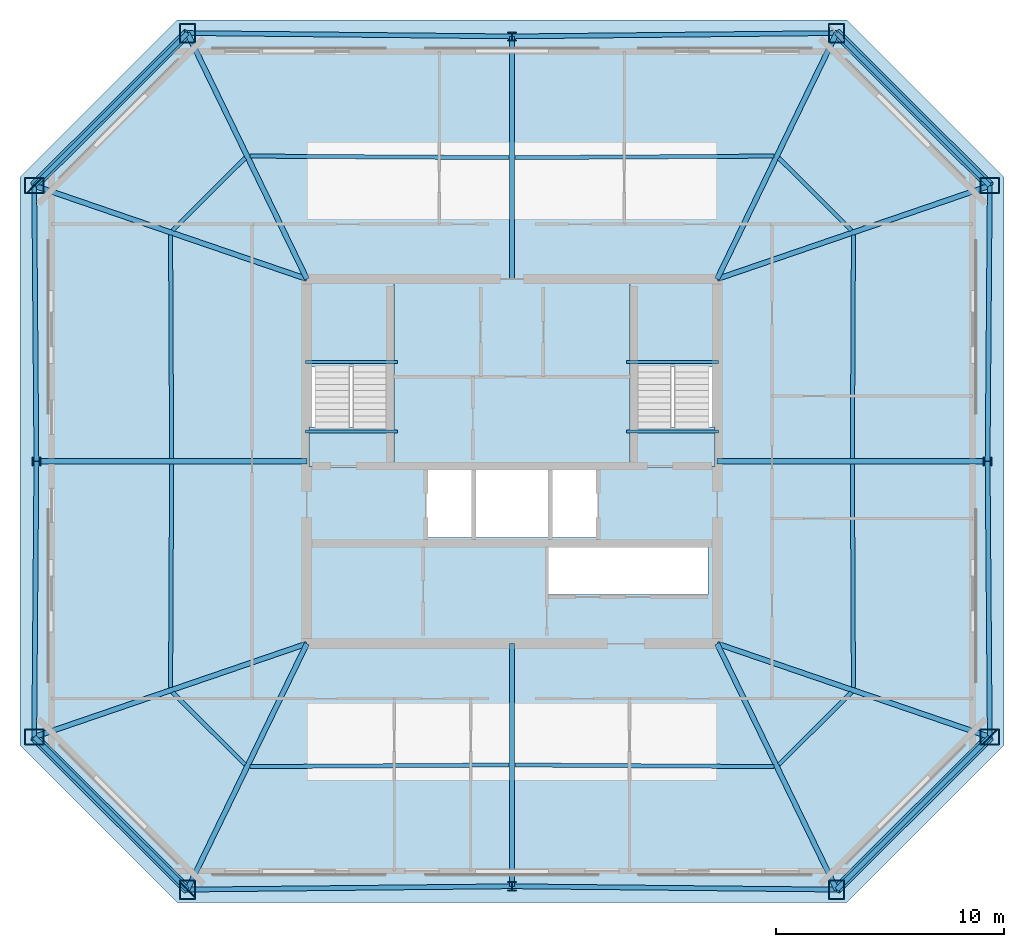
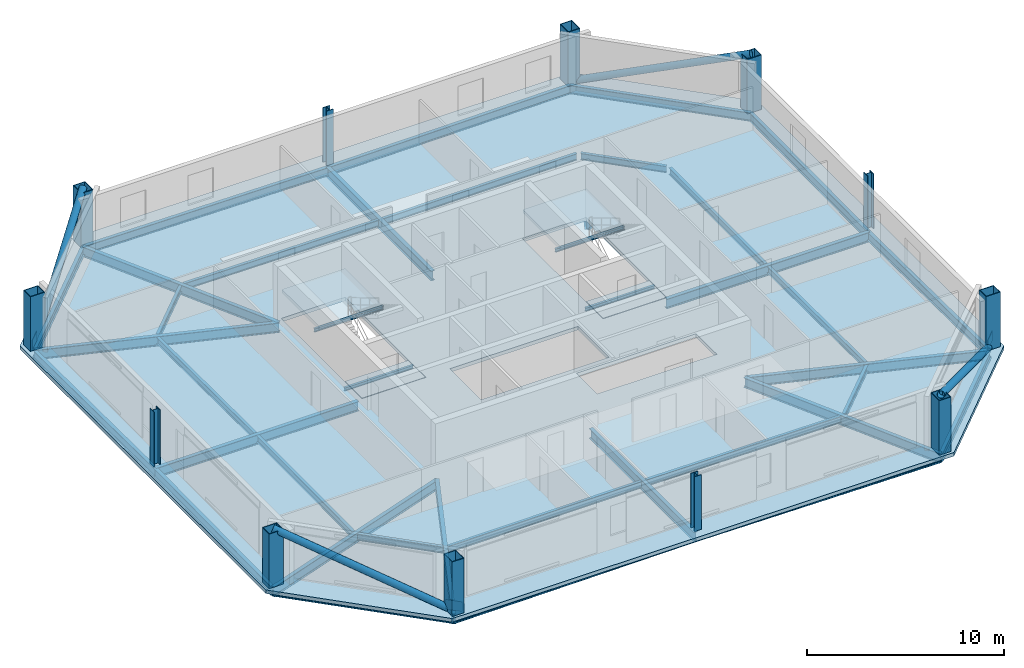
# One storey, part 1 of 6: 40 beams, 12 columns, 5 slabs, 4 members, 3 plates, 2 elements without a shape of their own.
"""IFC4 building model written with IfcOpenShell, lengths in metres."""

import ifcopenshell
import ifcopenshell.guid

model = None  # the IFC model being written
_history = None  # IfcOwnerHistory: only IFC2X3 demands one
_inside = {}  # id of a spatial element -> (the spatial element, [elements in it])
_under = {}  # id of a project, library or spatial element -> (it, [spatial elements below it])
_declared = {}  # id of a project -> (the project, [libraries it declares])
_typed = {}  # id of a type object -> (the type object, [elements of that type])
_made_of = {}  # id of a material, layer set ... -> (it, [elements and type objects made of it])


def new_model(schema):
    """Start an empty IFC model of exactly this schema.

    Asked for "IFC4X3", IfcOpenShell would pick the latest addendum, in which some entities
    have other attributes; the version numbers below select the first issue.
    IFC2X3 requires an IfcOwnerHistory on every rooted entity: one is made here for all.
    """
    global model, _history
    if schema == "IFC4X3":
        model = ifcopenshell.file(schema_version=(4, 3, 0, 0))
    else:
        model = ifcopenshell.file(schema=schema)
    _inside.clear()
    _under.clear()
    _declared.clear()
    _typed.clear()
    _made_of.clear()
    _history = None
    if model.schema == "IFC2X3":
        org = make("IfcOrganization", Name="unknown")
        user = make(
            "IfcPersonAndOrganization",
            ThePerson=make("IfcPerson", FamilyName="unknown"),
            TheOrganization=org,
        )
        app = make(
            "IfcApplication",
            ApplicationDeveloper=org,
            Version="unknown",
            ApplicationFullName="unknown",
            ApplicationIdentifier="unknown",
        )
        _history = make(
            "IfcOwnerHistory",
            OwningUser=user,
            OwningApplication=app,
            ChangeAction="ADDED",
            CreationDate=0,
        )
    return model


def make(cls, **values):
    """One entity of the class cls with the attributes given. An attribute that is None is left unset."""
    return model.create_entity(
        cls, **{name: value for name, value in values.items() if value is not None}
    )


def rooted(cls, **values):
    """An entity with a GlobalId (a new one), such as an element, a storey or a relation."""
    return make(cls, GlobalId=ifcopenshell.guid.new(), OwnerHistory=_history, **values)


def si_unit(unit_type, name, prefix=None):
    """IfcSIUnit, for example si_unit("LENGTHUNIT", "METRE", prefix="MILLI")."""
    return make("IfcSIUnit", UnitType=unit_type, Prefix=prefix, Name=name)


def assignment(units):
    """IfcUnitAssignment: the units of a project."""
    return None if units is None else make("IfcUnitAssignment", Units=units)


def point(xyz):
    """IfcCartesianPoint."""
    return None if xyz is None else make("IfcCartesianPoint", Coordinates=xyz)


def direction(xyz):
    """IfcDirection."""
    return None if xyz is None else make("IfcDirection", DirectionRatios=xyz)


def frame(location, z_axis=None, x_axis=None):
    """IfcAxis2Placement3D, a coordinate frame: its origin and axes. An axis left out is left unset."""
    return make(
        "IfcAxis2Placement3D",
        Location=point(location),
        Axis=direction(z_axis),
        RefDirection=direction(x_axis),
    )


def frame_2d(location, x_axis=None):
    """IfcAxis2Placement2D, a coordinate frame in the plane: its origin and x axis."""
    return make(
        "IfcAxis2Placement2D", Location=point(location), RefDirection=direction(x_axis)
    )


def origin():
    """The frame at (0, 0, 0) with its axes left unset."""
    return frame((0.0, 0.0, 0.0))


def origin_2d():
    """The frame at (0, 0) in the plane with its x axis left unset."""
    return frame_2d((0.0, 0.0))


def place(relative_to, where):
    """IfcLocalPlacement: puts the frame where relative to a parent placement (None: the world)."""
    return make(
        "IfcLocalPlacement", PlacementRelTo=relative_to, RelativePlacement=where
    )


def context(
    kind, dimensions, precision=None, world=None, true_north=None, identifier=None
):
    """IfcGeometricRepresentationContext, for example the 3D "Model" context."""
    return make(
        "IfcGeometricRepresentationContext",
        ContextIdentifier=identifier,
        ContextType=kind,
        CoordinateSpaceDimension=dimensions,
        Precision=precision,
        WorldCoordinateSystem=world,
        TrueNorth=true_north,
    )


def subcontext(parent, identifier, kind, view, scale=None):
    """IfcGeometricRepresentationSubContext, for example "Body" below "Model"."""
    return make(
        "IfcGeometricRepresentationSubContext",
        ContextIdentifier=identifier,
        ContextType=kind,
        ParentContext=parent,
        TargetScale=scale,
        TargetView=view,
    )


def project(units=None, contexts=None):
    """IfcProject with its units and contexts."""
    return rooted(
        "IfcProject",
        Name="project",
        RepresentationContexts=contexts,
        UnitsInContext=assignment(units),
    )


def spatial(cls, under=None, at=None, **own):
    """A site, building, storey or space (cls), placed at a placement, below another one or the project."""
    s = rooted(cls, ObjectPlacement=at, **own)
    if under is not None:
        _under.setdefault(under.id(), (under, []))[1].append(s)
    return s


def polyline(points):
    """IfcPolyline through the points."""
    return make("IfcPolyline", Points=[point(p) for p in points])


def profile(cls, at=None, kind="AREA", **sizes):
    """A parametric profile (cls). Its sizes go by their IFC names, for example OverallWidth=200.0."""
    return make(cls, ProfileType=kind, Position=at, **sizes)


def rectangle(**sizes):
    """IfcRectangleProfileDef."""
    return profile("IfcRectangleProfileDef", **sizes)


def hollow_rectangle(**sizes):
    """IfcRectangleHollowProfileDef."""
    return profile("IfcRectangleHollowProfileDef", **sizes)


def hollow_circle(**sizes):
    """IfcCircleHollowProfileDef."""
    return profile("IfcCircleHollowProfileDef", **sizes)


def i_section(**sizes):
    """IfcIShapeProfileDef."""
    return profile("IfcIShapeProfileDef", **sizes)


def outline(outer, holes=None, kind="AREA"):
    """IfcArbitraryClosedProfileDef: a profile drawn as a closed curve; with holes, ...WithVoids."""
    if holes is None:
        return make("IfcArbitraryClosedProfileDef", ProfileType=kind, OuterCurve=outer)
    return make(
        "IfcArbitraryProfileDefWithVoids",
        ProfileType=kind,
        OuterCurve=outer,
        InnerCurves=holes,
    )


def extrude(swept, where, along, depth):
    """IfcExtrudedAreaSolid: the profile swept, set in the frame where, extruded along a direction by depth."""
    return make(
        "IfcExtrudedAreaSolid",
        SweptArea=swept,
        Position=where,
        ExtrudedDirection=direction(along),
        Depth=depth,
    )


def shape(context_of_items, identifier, shape_type, items):
    """IfcShapeRepresentation: the items that make up one representation, for example the "Body"."""
    return make(
        "IfcShapeRepresentation",
        ContextOfItems=context_of_items,
        RepresentationIdentifier=identifier,
        RepresentationType=shape_type,
        Items=items,
    )


def material(Name=None, Category=None):
    """IfcMaterial."""
    return make("IfcMaterial", Name=Name, Category=Category)


def layer(
    of_material, thickness, ventilated=None, Name=None, Category=None, Priority=None
):
    """IfcMaterialLayer: one layer of a wall or slab, of a material (None: an air gap)."""
    return make(
        "IfcMaterialLayer",
        Material=of_material,
        LayerThickness=thickness,
        IsVentilated=ventilated,
        Name=Name,
        Category=Category,
        Priority=Priority,
    )


def layer_set(layers, Name=None):
    """IfcMaterialLayerSet."""
    return make("IfcMaterialLayerSet", MaterialLayers=layers, LayerSetName=Name)


def material_profile(
    of_material, cross_section, Name=None, Category=None, Priority=None
):
    """IfcMaterialProfile: a cross section and its material."""
    return make(
        "IfcMaterialProfile",
        Name=Name,
        Material=of_material,
        Profile=cross_section,
        Priority=Priority,
        Category=Category,
    )


def profile_set(profiles, Name=None, composite=None):
    """IfcMaterialProfileSet."""
    return make(
        "IfcMaterialProfileSet",
        Name=Name,
        MaterialProfiles=profiles,
        CompositeProfile=composite,
    )


def made_of(thing, what):
    """Note that an element or type object is made of a material, layer set ...; save() writes the relation."""
    if what is not None:
        _made_of.setdefault(what.id(), (what, []))[1].append(thing)
    return thing


def type_object(cls, material=None, **own):
    """A type object (cls), such as IfcWallType, which elements share."""
    return made_of(rooted(cls, **own), material)


def element(
    cls,
    number,
    at=None,
    inside=None,
    cuts=None,
    type_object=None,
    material=None,
    context=None,
    identifier="Body",
    shape_type=None,
    held_by="IfcProductDefinitionShape",
    body=None,
    shapes=None,
    **own,
):
    """One element of the class cls, such as IfcWall. Its Tag is "e" and its number.

    at: its placement. inside: the storey or other place that contains it. cuts: it is an
    opening in that element (IfcRelVoidsElement). A single representation is given by context,
    identifier, shape_type and body (its items); several are given by shapes. held_by: the class
    of the entity that holds the representations. save() writes the other relations.
    """
    e = rooted(cls, Tag="e%d" % number, ObjectPlacement=at, **own)
    if body is not None:
        shapes = [shape(context, identifier, shape_type, body)]
    if shapes is not None:
        e.Representation = make(held_by, Representations=shapes)
    if inside is not None:
        _inside.setdefault(inside.id(), (inside, []))[1].append(e)
    if cuts is not None:
        rooted(
            "IfcRelVoidsElement", RelatingBuildingElement=cuts, RelatedOpeningElement=e
        )
    if type_object is not None:
        _typed.setdefault(type_object.id(), (type_object, []))[1].append(e)
    return made_of(e, material)


def aggregate(whole, parts):
    """IfcRelAggregates: a whole, such as a stair, and the parts it consists of."""
    return rooted("IfcRelAggregates", RelatingObject=whole, RelatedObjects=parts)


def save(model, path):
    """Write the relations noted so far, then the file.

    IfcRelAggregates (storeys below a building ...), IfcRelContainedInSpatialStructure (elements
    in a storey), IfcRelDefinesByType, IfcRelAssociatesMaterial and IfcRelDeclares: one each for
    every whole, place, type object, material and project.
    """
    for whole, parts in _under.values():
        aggregate(whole, parts)
    for where, things in _inside.values():
        rooted(
            "IfcRelContainedInSpatialStructure",
            RelatedElements=things,
            RelatingStructure=where,
        )
    for kind, things in _typed.values():
        rooted("IfcRelDefinesByType", RelatedObjects=things, RelatingType=kind)
    for what, things in _made_of.values():
        rooted("IfcRelAssociatesMaterial", RelatedObjects=things, RelatingMaterial=what)
    for by, libraries in _declared.values():
        rooted("IfcRelDeclares", RelatingContext=by, RelatedDefinitions=libraries)
    model.write(path)


model = new_model("IFC4")

# Units and contexts
model_context = context("Model", 3, precision=1e-05, world=origin(), true_north=direction((0.0, 1.0)))
body_context = subcontext(model_context, "Body", "Model", "MODEL_VIEW")
ifc_project = project(units=[si_unit("LENGTHUNIT", "METRE"), si_unit("AREAUNIT", "SQUARE_METRE"), si_unit("VOLUMEUNIT", "CUBIC_METRE"), si_unit("PLANEANGLEUNIT", "RADIAN"), si_unit("MASSUNIT", "GRAM", prefix="KILO")], contexts=[model_context])

# Site, building, storey
site_placement = place(None, origin())
site = spatial("IfcSite", under=ifc_project, at=site_placement, CompositionType="ELEMENT")
building_placement = place(site_placement, origin())
building = spatial("IfcBuilding", under=site, at=building_placement, Name="Caelvoria Tower", CompositionType="ELEMENT")
storey_placement = place(building_placement, frame((0.0, 0.0, 209.39990234375)))
storey = spatial("IfcBuildingStorey", under=building, at=storey_placement, Name="L55", CompositionType="ELEMENT", Elevation=209.39990234375)

# Columns
ifc_material_1 = material(Name="Structural Steel ASTM A572 Gr.50", Category="steel")
ifc_material_profile_1 = material_profile(ifc_material_1, hollow_rectangle(XDim=0.699951171875, YDim=0.85009765625, WallThickness=0.0400390625, at=origin_2d()), Name="Structural Steel ASTM A572 Gr.50")
ifc_profile_set_1 = profile_set([ifc_material_profile_1], Name="BOX850X700X40 - Structural Steel ASTM A572 Gr.50")
column_type_1 = type_object("IfcColumnType", Name="Mega Box Column 850x700x40", PredefinedType="COLUMN", material=ifc_profile_set_1)
for number, where, z_axis, x_axis, name in (
    (1, (31.757568359375, 13.210205078125, 0.0), (0.0, 0.0, 1.0), (1.0, 0.0, 0.0), "Perimeter Megaframe Column L55-P00"),
    (2, (60.242431640625, 13.210205078125, 0.0), (0.0, 0.0, 1.0), (1.0, 0.0, 0.0), "Perimeter Megaframe Column L55-P02"),
    (3, (66.962890625, 19.9052734375, 0.0), (0.0, 0.0, 1.0), (0.0, 1.0, 0.0), "Perimeter Megaframe Column L55-P03"),
    (4, (66.962890625, 44.0947265625, 0.0), (0.0, 0.0, 1.0), (0.0, 1.0, 0.0), "Perimeter Megaframe Column L55-P05"),
    (5, (60.242431640625, 50.789794921875, 0.0), (0.0, 0.0, 1.0), (1.0, 0.0, 0.0), "Perimeter Megaframe Column L55-P06"),
    (6, (31.757568359375, 50.789794921875, 0.0), (0.0, 0.0, 1.0), (1.0, 0.0, 0.0), "Perimeter Megaframe Column L55-P08"),
    (7, (25.037109375, 44.0947265625, 0.0), (0.0, 0.0, 1.0), (0.0, 1.0, 0.0), "Perimeter Megaframe Column L55-P09"),
    (8, (25.037109375, 19.9052734375, 0.0), (0.0, 0.0, 1.0), (0.0, 1.0, 0.0), "Perimeter Megaframe Column L55-P11"),
):
    element("IfcColumn", number, at=place(storey_placement, frame(where, z_axis=z_axis, x_axis=x_axis)), inside=storey, type_object=column_type_1, Name=name, PredefinedType="COLUMN", context=body_context, shape_type="SweptSolid", body=[
        extrude(hollow_rectangle(XDim=0.699951171875, YDim=0.85009765625, WallThickness=0.0400390625, at=origin_2d()), origin(), (0.0, 0.0, 1.0), 3.373046875),
    ])
ifc_material_2 = material(Name="Structural Steel ASTM A992 Gr.50", Category="steel")
ifc_material_profile_2 = material_profile(ifc_material_2, i_section(OverallWidth=0.40087890625, OverallDepth=0.39892578125, WebThickness=0.02490234375, FlangeThickness=0.03955078125, FilletRadius=0.02490234375, at=origin_2d()), Name="Structural Steel ASTM A992 Gr.50")
ifc_profile_set_2 = profile_set([ifc_material_profile_2], Name="W360X314 - Structural Steel ASTM A992 Gr.50")
column_type_2 = type_object("IfcColumnType", Name="Upper Frame Column W360X314", PredefinedType="COLUMN", material=ifc_profile_set_2)
for number, where, z_axis, x_axis, name in (
    (9, (46.0, 13.3564453125, 0.0), (0.0, 0.0, 1.0), (1.0, 0.0, 0.0), "Perimeter Megaframe Column L55-P01"),
    (10, (66.866455078125, 32.0, 0.0), (0.0, 0.0, 1.0), (0.0, 1.0, 0.0), "Perimeter Megaframe Column L55-P04"),
    (11, (46.0, 50.6435546875, 0.0), (0.0, 0.0, 1.0), (1.0, 0.0, 0.0), "Perimeter Megaframe Column L55-P07"),
    (12, (25.133544921875, 32.0, 0.0), (0.0, 0.0, 1.0), (0.0, 1.0, 0.0), "Perimeter Megaframe Column L55-P10"),
):
    element("IfcColumn", number, at=place(storey_placement, frame(where, z_axis=z_axis, x_axis=x_axis)), inside=storey, type_object=column_type_2, Name=name, PredefinedType="COLUMN", context=body_context, shape_type="SweptSolid", body=[
        extrude(i_section(OverallWidth=0.40087890625, OverallDepth=0.39892578125, WebThickness=0.02490234375, FlangeThickness=0.03955078125, FilletRadius=0.02490234375, at=origin_2d()), origin(), (0.0, 0.0, 1.0), 3.373046875),
    ])

# Beams
ifc_material_profile_3 = material_profile(ifc_material_2, i_section(OverallWidth=0.134033203125, OverallDepth=0.2099609375, WebThickness=0.00634765625, FlangeThickness=0.01025390625, FilletRadius=0.010009765625, at=origin_2d()), Name="Structural Steel ASTM A992 Gr.50")
ifc_profile_set_3 = profile_set([ifc_material_profile_3], Name="W200X31.3 - Structural Steel ASTM A992 Gr.50")
beam_type_1 = type_object("IfcBeamType", Name="Canopy Edge Trim Beam W200X31.3", PredefinedType="BEAM", material=ifc_profile_set_3)
for number, where, z_axis, x_axis, name in (
    (13, (36.929931640625, 36.35009765625, 1.4951171875), (1.0, 0.0, 0.0), (0.0, 1.0, 0.0), "ST-01 Half-Landing Support Beam L55"),
    (14, (36.929931640625, 33.300048828125, -0.304931640625), (1.0, 0.0, 0.0), (0.0, 1.0, 0.0), "ST-01 Floor-Landing Support Beam L55"),
    (15, (51.030029296875, 36.35009765625, 1.4951171875), (1.0, 0.0, 0.0), (0.0, 1.0, 0.0), "ST-02 Half-Landing Support Beam L55"),
    (16, (51.030029296875, 33.300048828125, -0.304931640625), (1.0, 0.0, 0.0), (0.0, 1.0, 0.0), "ST-02 Floor-Landing Support Beam L55"),
):
    element("IfcBeam", number, at=place(storey_placement, frame(where, z_axis=z_axis, x_axis=x_axis)), inside=storey, type_object=beam_type_1, Name=name, PredefinedType="BEAM", context=body_context, shape_type="SweptSolid", body=[
        extrude(i_section(OverallWidth=0.134033203125, OverallDepth=0.2099609375, WebThickness=0.00634765625, FlangeThickness=0.01025390625, FilletRadius=0.010009765625, at=origin_2d()), origin(), (0.0, 0.0, 1.0), 4.0400390625),
    ])
ifc_material_profile_4 = material_profile(ifc_material_2, i_section(OverallWidth=0.22802734375, OverallDepth=0.60302734375, WebThickness=0.010498046875, FlangeThickness=0.014892578125, FilletRadius=0.01806640625, at=origin_2d()), Name="Structural Steel ASTM A992 Gr.50")
ifc_profile_set_4 = profile_set([ifc_material_profile_4], Name="W610X101 - Structural Steel ASTM A992 Gr.50")
beam_type_2 = type_object("IfcBeamType", Name="Primary Floor Girder W610X101", PredefinedType="BEAM", material=ifc_profile_set_4)
beam_1_placement = place(storey_placement, frame((37.0, 24.0, -0.5263671875), z_axis=(-0.437016876181, -0.899453306144, 0.0), x_axis=(0.899453306144, -0.437016876181, 0.0)))
element("IfcBeam", 17, at=beam_1_placement, inside=storey, type_object=beam_type_2, Name="Primary Floor Girder L55-00", PredefinedType="BEAM", context=body_context, shape_type="SweptSolid", body=[
    extrude(i_section(OverallWidth=0.22802734375, OverallDepth=0.60302734375, WebThickness=0.010498046875, FlangeThickness=0.014892578125, FilletRadius=0.01806640625, at=origin_2d()), origin(), (0.0, 0.0, 1.0), 11.995849609375),
])
beam_2_placement = place(storey_placement, frame((46.0, 24.0, -0.5263671875), z_axis=(0.0, -1.0, 0.0), x_axis=(1.0, 0.0, 0.0)))
element("IfcBeam", 18, at=beam_2_placement, inside=storey, type_object=beam_type_2, Name="Primary Floor Girder L55-01", PredefinedType="BEAM", context=body_context, shape_type="SweptSolid", body=[
    extrude(i_section(OverallWidth=0.22802734375, OverallDepth=0.60302734375, WebThickness=0.010498046875, FlangeThickness=0.014892578125, FilletRadius=0.01806640625, at=origin_2d()), origin(), (0.0, 0.0, 1.0), 10.6435546875),
])
beam_3_placement = place(storey_placement, frame((55.0, 24.0, -0.5263671875), z_axis=(0.437016876181, -0.899453306144, 0.0), x_axis=(0.899453306144, 0.437016876181, 0.0)))
element("IfcBeam", 19, at=beam_3_placement, inside=storey, type_object=beam_type_2, Name="Primary Floor Girder L55-02", PredefinedType="BEAM", context=body_context, shape_type="SweptSolid", body=[
    extrude(i_section(OverallWidth=0.22802734375, OverallDepth=0.60302734375, WebThickness=0.010498046875, FlangeThickness=0.014892578125, FilletRadius=0.01806640625, at=origin_2d()), origin(), (0.0, 0.0, 1.0), 11.995849609375),
])
beam_4_placement = place(storey_placement, frame((55.0, 24.0, -0.5263671875), z_axis=(0.946111685505, -0.323840514067, 0.0), x_axis=(0.323840514067, 0.946111685505, 0.0)))
element("IfcBeam", 20, at=beam_4_placement, inside=storey, type_object=beam_type_2, Name="Primary Floor Girder L55-03", PredefinedType="BEAM", context=body_context, shape_type="SweptSolid", body=[
    extrude(i_section(OverallWidth=0.22802734375, OverallDepth=0.60302734375, WebThickness=0.010498046875, FlangeThickness=0.014892578125, FilletRadius=0.01806640625, at=origin_2d()), origin(), (0.0, 0.0, 1.0), 12.644287109375),
])
beam_5_placement = place(storey_placement, frame((55.0, 32.0, -0.5263671875), z_axis=(1.0, 0.0, 0.0), x_axis=(0.0, 1.0, 0.0)))
element("IfcBeam", 21, at=beam_5_placement, inside=storey, type_object=beam_type_2, Name="Primary Floor Girder L55-04", PredefinedType="BEAM", context=body_context, shape_type="SweptSolid", body=[
    extrude(i_section(OverallWidth=0.22802734375, OverallDepth=0.60302734375, WebThickness=0.010498046875, FlangeThickness=0.014892578125, FilletRadius=0.01806640625, at=origin_2d()), origin(), (0.0, 0.0, 1.0), 11.866455078125),
])
beam_6_placement = place(storey_placement, frame((55.0, 40.0, -0.5263671875), z_axis=(0.946111685505, 0.323840514067, 0.0), x_axis=(-0.323840514067, 0.946111685505, 0.0)))
element("IfcBeam", 22, at=beam_6_placement, inside=storey, type_object=beam_type_2, Name="Primary Floor Girder L55-05", PredefinedType="BEAM", context=body_context, shape_type="SweptSolid", body=[
    extrude(i_section(OverallWidth=0.22802734375, OverallDepth=0.60302734375, WebThickness=0.010498046875, FlangeThickness=0.014892578125, FilletRadius=0.01806640625, at=origin_2d()), origin(), (0.0, 0.0, 1.0), 12.644287109375),
])
beam_7_placement = place(storey_placement, frame((55.0, 40.0, -0.5263671875), z_axis=(0.437016876181, 0.899453306144, 0.0), x_axis=(-0.899453306144, 0.437016876181, 0.0)))
element("IfcBeam", 23, at=beam_7_placement, inside=storey, type_object=beam_type_2, Name="Primary Floor Girder L55-06", PredefinedType="BEAM", context=body_context, shape_type="SweptSolid", body=[
    extrude(i_section(OverallWidth=0.22802734375, OverallDepth=0.60302734375, WebThickness=0.010498046875, FlangeThickness=0.014892578125, FilletRadius=0.01806640625, at=origin_2d()), origin(), (0.0, 0.0, 1.0), 11.995849609375),
])
beam_8_placement = place(storey_placement, frame((46.0, 40.0, -0.5263671875), z_axis=(0.0, 1.0, 0.0), x_axis=(-1.0, 0.0, 0.0)))
element("IfcBeam", 24, at=beam_8_placement, inside=storey, type_object=beam_type_2, Name="Primary Floor Girder L55-07", PredefinedType="BEAM", context=body_context, shape_type="SweptSolid", body=[
    extrude(i_section(OverallWidth=0.22802734375, OverallDepth=0.60302734375, WebThickness=0.010498046875, FlangeThickness=0.014892578125, FilletRadius=0.01806640625, at=origin_2d()), origin(), (0.0, 0.0, 1.0), 10.6435546875),
])
beam_9_placement = place(storey_placement, frame((37.0, 40.0, -0.5263671875), z_axis=(-0.437016876181, 0.899453306144, 0.0), x_axis=(-0.899453306144, -0.437016876181, 0.0)))
element("IfcBeam", 25, at=beam_9_placement, inside=storey, type_object=beam_type_2, Name="Primary Floor Girder L55-08", PredefinedType="BEAM", context=body_context, shape_type="SweptSolid", body=[
    extrude(i_section(OverallWidth=0.22802734375, OverallDepth=0.60302734375, WebThickness=0.010498046875, FlangeThickness=0.014892578125, FilletRadius=0.01806640625, at=origin_2d()), origin(), (0.0, 0.0, 1.0), 11.995849609375),
])
beam_10_placement = place(storey_placement, frame((37.0, 40.0, -0.5263671875), z_axis=(-0.946111685505, 0.323840514067, 0.0), x_axis=(-0.323840514067, -0.946111685505, 0.0)))
element("IfcBeam", 26, at=beam_10_placement, inside=storey, type_object=beam_type_2, Name="Primary Floor Girder L55-09", PredefinedType="BEAM", context=body_context, shape_type="SweptSolid", body=[
    extrude(i_section(OverallWidth=0.22802734375, OverallDepth=0.60302734375, WebThickness=0.010498046875, FlangeThickness=0.014892578125, FilletRadius=0.01806640625, at=origin_2d()), origin(), (0.0, 0.0, 1.0), 12.644287109375),
])
beam_11_placement = place(storey_placement, frame((37.0, 32.0, -0.5263671875), z_axis=(-1.0, 0.0, 0.0), x_axis=(0.0, -1.0, 0.0)))
element("IfcBeam", 27, at=beam_11_placement, inside=storey, type_object=beam_type_2, Name="Primary Floor Girder L55-10", PredefinedType="BEAM", context=body_context, shape_type="SweptSolid", body=[
    extrude(i_section(OverallWidth=0.22802734375, OverallDepth=0.60302734375, WebThickness=0.010498046875, FlangeThickness=0.014892578125, FilletRadius=0.01806640625, at=origin_2d()), origin(), (0.0, 0.0, 1.0), 11.866455078125),
])
beam_12_placement = place(storey_placement, frame((37.0, 24.0, -0.5263671875), z_axis=(-0.946111685505, -0.323840514067, 0.0), x_axis=(0.323840514067, -0.946111685505, 0.0)))
element("IfcBeam", 28, at=beam_12_placement, inside=storey, type_object=beam_type_2, Name="Primary Floor Girder L55-11", PredefinedType="BEAM", context=body_context, shape_type="SweptSolid", body=[
    extrude(i_section(OverallWidth=0.22802734375, OverallDepth=0.60302734375, WebThickness=0.010498046875, FlangeThickness=0.014892578125, FilletRadius=0.01806640625, at=origin_2d()), origin(), (0.0, 0.0, 1.0), 12.644287109375),
])
ifc_material_profile_5 = material_profile(ifc_material_2, i_section(OverallWidth=0.177978515625, OverallDepth=0.406982421875, WebThickness=0.0078125, FlangeThickness=0.0126953125, FilletRadius=0.013916015625, at=origin_2d()), Name="Structural Steel ASTM A992 Gr.50")
ifc_profile_set_5 = profile_set([ifc_material_profile_5], Name="W410X60 - Structural Steel ASTM A992 Gr.50")
beam_type_3 = type_object("IfcBeamType", Name="Secondary Floor Beam W410X60", PredefinedType="BEAM", material=ifc_profile_set_5)
for number, where, z_axis, x_axis, name in (
    (29, (34.50390625, 18.60595703125, -0.428466796875), (0.999980213546, 0.006290669069, 0.0), (-0.006290669069, 0.999980213546, 0.0), "Secondary Floor Beam L55-00"),
    (30, (46.125, 18.677490234375, -0.428466796875), (0.999980213546, -0.006290669069, 0.0), (0.006290669069, 0.999980213546, 0.0), "Secondary Floor Beam L55-01"),
):
    element("IfcBeam", number, at=place(storey_placement, frame(where, z_axis=z_axis, x_axis=x_axis)), inside=storey, type_object=beam_type_3, Name=name, PredefinedType="BEAM", context=body_context, shape_type="SweptSolid", body=[
        extrude(i_section(OverallWidth=0.177978515625, OverallDepth=0.406982421875, WebThickness=0.0078125, FlangeThickness=0.0126953125, FilletRadius=0.013916015625, at=origin_2d()), origin(), (0.0, 0.0, 1.0), 11.371337890625),
    ])
beam_13_placement = place(storey_placement, frame((57.709716796875, 18.693359375, -0.428466796875), z_axis=(0.708436767567, 0.705774288536, 0.0), x_axis=(-0.705774288536, 0.708436767567, 0.0)))
element("IfcBeam", 31, at=beam_13_placement, inside=storey, type_object=beam_type_3, Name="Secondary Floor Beam L55-02", PredefinedType="BEAM", context=body_context, shape_type="SweptSolid", body=[
    extrude(i_section(OverallWidth=0.177978515625, OverallDepth=0.406982421875, WebThickness=0.0078125, FlangeThickness=0.0126953125, FilletRadius=0.013916015625, at=origin_2d()), origin(), (0.0, 0.0, 1.0), 4.4931640625),
])
for number, where, z_axis, x_axis, name in (
    (32, (60.980712890625, 22.07763671875, -0.428466796875), (-0.004784395776, 0.999988554713, 0.0), (-0.999988554713, -0.004784395776, 0.0), "Secondary Floor Beam L55-03"),
    (33, (60.933837890625, 32.125, -0.428466796875), (0.004784395776, 0.999988554713, 0.0), (-0.999988554713, 0.004784395776, 0.0), "Secondary Floor Beam L55-04"),
):
    element("IfcBeam", number, at=place(storey_placement, frame(where, z_axis=z_axis, x_axis=x_axis)), inside=storey, type_object=beam_type_3, Name=name, PredefinedType="BEAM", context=body_context, shape_type="SweptSolid", body=[
        extrude(i_section(OverallWidth=0.177978515625, OverallDepth=0.406982421875, WebThickness=0.0078125, FlangeThickness=0.0126953125, FilletRadius=0.013916015625, at=origin_2d()), origin(), (0.0, 0.0, 1.0), 9.79736328125),
    ])
beam_14_placement = place(storey_placement, frame((60.892822265625, 42.135498046875, -0.428466796875), z_axis=(-0.708436767567, 0.705774288536, 0.0), x_axis=(-0.705774288536, -0.708436767567, 0.0)))
element("IfcBeam", 34, at=beam_14_placement, inside=storey, type_object=beam_type_3, Name="Secondary Floor Beam L55-05", PredefinedType="BEAM", context=body_context, shape_type="SweptSolid", body=[
    extrude(i_section(OverallWidth=0.177978515625, OverallDepth=0.406982421875, WebThickness=0.0078125, FlangeThickness=0.0126953125, FilletRadius=0.013916015625, at=origin_2d()), origin(), (0.0, 0.0, 1.0), 4.4931640625),
])
for number, where, z_axis, x_axis, name in (
    (35, (57.49609375, 45.39404296875, -0.428466796875), (-0.999980213546, -0.006290669069, 0.0), (0.006290669069, -0.999980213546, 0.0), "Secondary Floor Beam L55-06"),
    (36, (45.875, 45.322509765625, -0.428466796875), (-0.999980213546, 0.006290669069, 0.0), (-0.006290669069, -0.999980213546, 0.0), "Secondary Floor Beam L55-07"),
):
    element("IfcBeam", number, at=place(storey_placement, frame(where, z_axis=z_axis, x_axis=x_axis)), inside=storey, type_object=beam_type_3, Name=name, PredefinedType="BEAM", context=body_context, shape_type="SweptSolid", body=[
        extrude(i_section(OverallWidth=0.177978515625, OverallDepth=0.406982421875, WebThickness=0.0078125, FlangeThickness=0.0126953125, FilletRadius=0.013916015625, at=origin_2d()), origin(), (0.0, 0.0, 1.0), 11.371337890625),
    ])
beam_15_placement = place(storey_placement, frame((34.290283203125, 45.306640625, -0.428466796875), z_axis=(-0.708436767567, -0.705774288536, 0.0), x_axis=(0.705774288536, -0.708436767567, 0.0)))
element("IfcBeam", 37, at=beam_15_placement, inside=storey, type_object=beam_type_3, Name="Secondary Floor Beam L55-08", PredefinedType="BEAM", context=body_context, shape_type="SweptSolid", body=[
    extrude(i_section(OverallWidth=0.177978515625, OverallDepth=0.406982421875, WebThickness=0.0078125, FlangeThickness=0.0126953125, FilletRadius=0.013916015625, at=origin_2d()), origin(), (0.0, 0.0, 1.0), 4.4931640625),
])
for number, where, z_axis, x_axis, name in (
    (38, (31.019287109375, 41.92236328125, -0.428466796875), (0.004784395776, -0.999988554713, 0.0), (0.999988554713, 0.004784395776, 0.0), "Secondary Floor Beam L55-09"),
    (39, (31.066162109375, 31.875, -0.428466796875), (-0.004784395776, -0.999988554713, 0.0), (0.999988554713, -0.004784395776, 0.0), "Secondary Floor Beam L55-10"),
):
    element("IfcBeam", number, at=place(storey_placement, frame(where, z_axis=z_axis, x_axis=x_axis)), inside=storey, type_object=beam_type_3, Name=name, PredefinedType="BEAM", context=body_context, shape_type="SweptSolid", body=[
        extrude(i_section(OverallWidth=0.177978515625, OverallDepth=0.406982421875, WebThickness=0.0078125, FlangeThickness=0.0126953125, FilletRadius=0.013916015625, at=origin_2d()), origin(), (0.0, 0.0, 1.0), 9.79736328125),
    ])
beam_16_placement = place(storey_placement, frame((31.107177734375, 21.864501953125, -0.428466796875), z_axis=(0.708436767567, -0.705774288536, 0.0), x_axis=(0.705774288536, 0.708436767567, 0.0)))
element("IfcBeam", 40, at=beam_16_placement, inside=storey, type_object=beam_type_3, Name="Secondary Floor Beam L55-11", PredefinedType="BEAM", context=body_context, shape_type="SweptSolid", body=[
    extrude(i_section(OverallWidth=0.177978515625, OverallDepth=0.406982421875, WebThickness=0.0078125, FlangeThickness=0.0126953125, FilletRadius=0.013916015625, at=origin_2d()), origin(), (0.0, 0.0, 1.0), 4.4931640625),
])

# Members
ifc_material_profile_6 = material_profile(ifc_material_1, hollow_circle(Radius=0.202880859375, WallThickness=0.01611328125, at=origin_2d()), Name="Structural Steel ASTM A572 Gr.50")
ifc_profile_set_6 = profile_set([ifc_material_profile_6], Name="CHS406X16 - Structural Steel ASTM A572 Gr.50")
member_type = type_object("IfcMemberType", Name="Upper Perimeter Mega Brace CHS406X16", PredefinedType="BRACE", material=ifc_profile_set_6)
for number, where, z_axis, x_axis, name in (
    (41, (66.962890625, 19.9052734375, 0.0), (-0.667459080331, -0.664937347328, 0.335196509845), (0.705767225873, -0.708443803617, 0.0), "Perimeter Chamfer Mega Brace L55 SE"),
    (42, (60.242431640625, 50.789794921875, 0.0), (0.667459080331, -0.664937347328, 0.335196509845), (0.705767225873, 0.708443803617, 0.0), "Perimeter Chamfer Mega Brace L55 NE"),
    (43, (25.037109375, 44.0947265625, 0.0), (0.667459080331, 0.664937347328, 0.335196509845), (-0.705767225873, 0.708443803617, 0.0), "Perimeter Chamfer Mega Brace L55 NW"),
    (44, (31.757568359375, 13.210205078125, 0.0), (-0.667459080331, 0.664937347328, 0.335196509845), (-0.705767225873, -0.708443803617, 0.0), "Perimeter Chamfer Mega Brace L55 SW"),
):
    element("IfcMember", number, at=place(storey_placement, frame(where, z_axis=z_axis, x_axis=x_axis)), inside=storey, type_object=member_type, Name=name, PredefinedType="BRACE", context=body_context, shape_type="SweptSolid", body=[
        extrude(hollow_circle(Radius=0.202880859375, WallThickness=0.01611328125, at=origin_2d()), origin(), (0.0, 0.0, 1.0), 10.068603515625),
    ])

# Beams
ifc_material_profile_7 = material_profile(ifc_material_2, i_section(OverallWidth=0.208984375, OverallDepth=0.532958984375, WebThickness=0.01025390625, FlangeThickness=0.015625, FilletRadius=0.01611328125, at=origin_2d()), Name="Structural Steel ASTM A992 Gr.50")
ifc_profile_set_7 = profile_set([ifc_material_profile_7], Name="W530X92 - Structural Steel ASTM A992 Gr.50")
beam_type_4 = type_object("IfcBeamType", Name="Upper Zone Spandrel W530X92", PredefinedType="BEAM", material=ifc_profile_set_7)
for number, where, z_axis, x_axis, name in (
    (45, (31.757568359375, 13.210205078125, -0.491455078125), (0.999947289016, 0.010267384784, 0.0), (-0.010267384784, 0.999947289016, 0.0), "Perimeter Spandrel Girder L55-00"),
    (46, (46.0, 13.3564453125, -0.491455078125), (0.999947289016, -0.010267384784, 0.0), (0.010267384784, 0.999947289016, 0.0), "Perimeter Spandrel Girder L55-01"),
):
    element("IfcBeam", number, at=place(storey_placement, frame(where, z_axis=z_axis, x_axis=x_axis)), inside=storey, type_object=beam_type_4, Name=name, PredefinedType="BEAM", context=body_context, shape_type="SweptSolid", body=[
        extrude(i_section(OverallWidth=0.208984375, OverallDepth=0.532958984375, WebThickness=0.01025390625, FlangeThickness=0.015625, FilletRadius=0.01611328125, at=origin_2d()), origin(), (0.0, 0.0, 1.0), 14.2431640625),
    ])
beam_17_placement = place(storey_placement, frame((60.242431640625, 13.210205078125, -0.491455078125), z_axis=(0.708443803617, 0.705767225873, 0.0), x_axis=(-0.705767225873, 0.708443803617, 0.0)))
element("IfcBeam", 47, at=beam_17_placement, inside=storey, type_object=beam_type_4, Name="Perimeter Spandrel Girder L55-02", PredefinedType="BEAM", context=body_context, shape_type="SweptSolid", body=[
    extrude(i_section(OverallWidth=0.208984375, OverallDepth=0.532958984375, WebThickness=0.01025390625, FlangeThickness=0.015625, FilletRadius=0.01611328125, at=origin_2d()), origin(), (0.0, 0.0, 1.0), 9.486328125),
])
for number, where, z_axis, x_axis, name in (
    (48, (66.962890625, 19.9052734375, -0.491455078125), (-0.007973101426, 0.999968214322, 0.0), (-0.999968214322, -0.007973101426, 0.0), "Perimeter Spandrel Girder L55-03"),
    (49, (66.866455078125, 32.0, -0.491455078125), (0.007973101426, 0.999968214322, 0.0), (-0.999968214322, 0.007973101426, 0.0), "Perimeter Spandrel Girder L55-04"),
):
    element("IfcBeam", number, at=place(storey_placement, frame(where, z_axis=z_axis, x_axis=x_axis)), inside=storey, type_object=beam_type_4, Name=name, PredefinedType="BEAM", context=body_context, shape_type="SweptSolid", body=[
        extrude(i_section(OverallWidth=0.208984375, OverallDepth=0.532958984375, WebThickness=0.01025390625, FlangeThickness=0.015625, FilletRadius=0.01611328125, at=origin_2d()), origin(), (0.0, 0.0, 1.0), 12.09521484375),
    ])
beam_18_placement = place(storey_placement, frame((66.962890625, 44.0947265625, -0.491455078125), z_axis=(-0.708443803617, 0.705767225873, 0.0), x_axis=(-0.705767225873, -0.708443803617, 0.0)))
element("IfcBeam", 50, at=beam_18_placement, inside=storey, type_object=beam_type_4, Name="Perimeter Spandrel Girder L55-05", PredefinedType="BEAM", context=body_context, shape_type="SweptSolid", body=[
    extrude(i_section(OverallWidth=0.208984375, OverallDepth=0.532958984375, WebThickness=0.01025390625, FlangeThickness=0.015625, FilletRadius=0.01611328125, at=origin_2d()), origin(), (0.0, 0.0, 1.0), 9.486328125),
])
for number, where, z_axis, x_axis, name in (
    (51, (60.242431640625, 50.789794921875, -0.491455078125), (-0.999947289016, -0.010267384784, 0.0), (0.010267384784, -0.999947289016, 0.0), "Perimeter Spandrel Girder L55-06"),
    (52, (46.0, 50.6435546875, -0.491455078125), (-0.999947289016, 0.010267384784, 0.0), (-0.010267384784, -0.999947289016, 0.0), "Perimeter Spandrel Girder L55-07"),
):
    element("IfcBeam", number, at=place(storey_placement, frame(where, z_axis=z_axis, x_axis=x_axis)), inside=storey, type_object=beam_type_4, Name=name, PredefinedType="BEAM", context=body_context, shape_type="SweptSolid", body=[
        extrude(i_section(OverallWidth=0.208984375, OverallDepth=0.532958984375, WebThickness=0.01025390625, FlangeThickness=0.015625, FilletRadius=0.01611328125, at=origin_2d()), origin(), (0.0, 0.0, 1.0), 14.2431640625),
    ])
beam_19_placement = place(storey_placement, frame((31.757568359375, 50.789794921875, -0.491455078125), z_axis=(-0.708443803617, -0.705767225873, 0.0), x_axis=(0.705767225873, -0.708443803617, 0.0)))
element("IfcBeam", 53, at=beam_19_placement, inside=storey, type_object=beam_type_4, Name="Perimeter Spandrel Girder L55-08", PredefinedType="BEAM", context=body_context, shape_type="SweptSolid", body=[
    extrude(i_section(OverallWidth=0.208984375, OverallDepth=0.532958984375, WebThickness=0.01025390625, FlangeThickness=0.015625, FilletRadius=0.01611328125, at=origin_2d()), origin(), (0.0, 0.0, 1.0), 9.486328125),
])
for number, where, z_axis, x_axis, name in (
    (54, (25.037109375, 44.0947265625, -0.491455078125), (0.007973101426, -0.999968214322, 0.0), (0.999968214322, 0.007973101426, 0.0), "Perimeter Spandrel Girder L55-09"),
    (55, (25.133544921875, 32.0, -0.491455078125), (-0.007973101426, -0.999968214322, 0.0), (0.999968214322, -0.007973101426, 0.0), "Perimeter Spandrel Girder L55-10"),
):
    element("IfcBeam", number, at=place(storey_placement, frame(where, z_axis=z_axis, x_axis=x_axis)), inside=storey, type_object=beam_type_4, Name=name, PredefinedType="BEAM", context=body_context, shape_type="SweptSolid", body=[
        extrude(i_section(OverallWidth=0.208984375, OverallDepth=0.532958984375, WebThickness=0.01025390625, FlangeThickness=0.015625, FilletRadius=0.01611328125, at=origin_2d()), origin(), (0.0, 0.0, 1.0), 12.09521484375),
    ])
beam_20_placement = place(storey_placement, frame((25.037109375, 19.9052734375, -0.491455078125), z_axis=(0.708443803617, -0.705767225873, 0.0), x_axis=(0.705767225873, 0.708443803617, 0.0)))
element("IfcBeam", 56, at=beam_20_placement, inside=storey, type_object=beam_type_4, Name="Perimeter Spandrel Girder L55-11", PredefinedType="BEAM", context=body_context, shape_type="SweptSolid", body=[
    extrude(i_section(OverallWidth=0.208984375, OverallDepth=0.532958984375, WebThickness=0.01025390625, FlangeThickness=0.015625, FilletRadius=0.01611328125, at=origin_2d()), origin(), (0.0, 0.0, 1.0), 9.486328125),
])

# Plates
ifc_layer_1 = layer(ifc_material_1, 0.0400390625, Name="Structural Steel ASTM A572 Gr.50")
ifc_layer_set_1 = layer_set([ifc_layer_1], Name="Megaframe Node Gusset Plate 900x600x40 - Structural Steel ASTM A572 Gr.50")
plate_type = type_object("IfcPlateType", Name="Megaframe Node Gusset Plate 900x600x40", PredefinedType="USERDEFINED", material=ifc_layer_set_1)
for number, where, z_axis, x_axis, name in (
    (57, (66.962890625, 19.9052734375, 0.02001953125), (0.0, 0.0, 1.0), (-0.708439620888, -0.70577142444, 0.0), "Chamfer Mega Brace Gusset L55 SE"),
    (58, (25.037109375, 44.0947265625, 0.02001953125), (0.0, 0.0, 1.0), (0.708439620888, 0.70577142444, 0.0), "Chamfer Mega Brace Gusset L55 NW"),
    (59, (31.757568359375, 13.210205078125, 0.02001953125), (0.0, 0.0, 1.0), (-0.708439620888, 0.70577142444, 0.0), "Chamfer Mega Brace Gusset L55 SW"),
):
    element("IfcPlate", number, at=place(storey_placement, frame(where, z_axis=z_axis, x_axis=x_axis)), inside=storey, type_object=plate_type, Name=name, ObjectType="GUSSET_PLATE", PredefinedType="USERDEFINED", context=body_context, shape_type="SweptSolid", body=[
        extrude(rectangle(XDim=0.89990234375, YDim=0.0400390625, at=origin_2d()), origin(), (0.0, 0.0, 1.0), 0.60009765625),
    ])

# Stair, slabs
ifc_material_3 = material(Name="Concrete C40/50", Category="concrete")
stair_type = type_object("IfcStairType", Name="Core Smokeproof Dogleg Stair Concrete C40/50", PredefinedType="HALF_TURN_STAIR", material=ifc_material_3)
stair_1_placement = place(storey_placement, origin())
stair_1 = element("IfcStair", 60, at=stair_1_placement, inside=storey, type_object=stair_type, Name="ST-01 Smokeproof Exit Stair L55", PredefinedType="HALF_TURN_STAIR")
ifc_layer_2 = layer(ifc_material_3, 0.199951171875, Name="Concrete C40/50")
ifc_layer_set_2 = layer_set([ifc_layer_2], Name="Stair Half and Floor Landing Slab 200 Concrete C40/50 - Concrete C40/50")
slab_type_1 = type_object("IfcSlabType", Name="Stair Half and Floor Landing Slab 200 Concrete C40/50", PredefinedType="LANDING", material=ifc_layer_set_2)
slab_1_placement = place(storey_placement, frame((0.0, 0.0, -0.199951171875)))
slab_1 = element("IfcSlab", 61, at=slab_1_placement, type_object=slab_type_1, Name="ST-01 landing 1", PredefinedType="LANDING", context=body_context, shape_type="SweptSolid", body=[
    extrude(outline(polyline([(37.10009765625, 31.77001953125), (40.800048828125, 31.77001953125), (40.800048828125, 33.5), (37.10009765625, 33.5), (37.10009765625, 31.77001953125)])), origin(), (0.0, 0.0, 1.0), 0.199951171875),
])
slab_2_placement = place(storey_placement, frame((0.0, 0.0, 1.60009765625)))
slab_2 = element("IfcSlab", 62, at=slab_2_placement, type_object=slab_type_1, Name="ST-01 landing 2", PredefinedType="LANDING", context=body_context, shape_type="SweptSolid", body=[
    extrude(outline(polyline([(37.10009765625, 36.14990234375), (40.800048828125, 36.14990234375), (40.800048828125, 39.89990234375), (37.10009765625, 39.89990234375), (37.10009765625, 36.14990234375)])), origin(), (0.0, 0.0, 1.0), 0.199951171875),
])
aggregate(stair_1, [slab_1, slab_2])

stair_2_placement = place(storey_placement, origin())
stair_2 = element("IfcStair", 63, at=stair_2_placement, inside=storey, type_object=stair_type, Name="ST-02 Smokeproof Exit Stair L55", PredefinedType="HALF_TURN_STAIR")
slab_3_placement = place(storey_placement, frame((0.0, 0.0, -0.199951171875)))
slab_3 = element("IfcSlab", 64, at=slab_3_placement, type_object=slab_type_1, Name="ST-02 landing 1", PredefinedType="LANDING", context=body_context, shape_type="SweptSolid", body=[
    extrude(outline(polyline([(51.199951171875, 31.77001953125), (54.89990234375, 31.77001953125), (54.89990234375, 33.5), (51.199951171875, 33.5), (51.199951171875, 31.77001953125)])), origin(), (0.0, 0.0, 1.0), 0.199951171875),
])
slab_4_placement = place(storey_placement, frame((0.0, 0.0, 1.60009765625)))
slab_4 = element("IfcSlab", 65, at=slab_4_placement, type_object=slab_type_1, Name="ST-02 landing 2", PredefinedType="LANDING", context=body_context, shape_type="SweptSolid", body=[
    extrude(outline(polyline([(51.199951171875, 36.14990234375), (54.89990234375, 36.14990234375), (54.89990234375, 39.89990234375), (51.199951171875, 39.89990234375), (51.199951171875, 36.14990234375)])), origin(), (0.0, 0.0, 1.0), 0.199951171875),
])
aggregate(stair_2, [slab_3, slab_4])

# Slab
ifc_layer_3 = layer(ifc_material_3, 0.22509765625, Name="Concrete C40/50")
ifc_layer_set_3 = layer_set([ifc_layer_3], Name="Upper Tower Composite Office Slab 225 - Concrete C40/50")
slab_type_2 = type_object("IfcSlabType", Name="Upper Tower Composite Office Slab 225", PredefinedType="FLOOR", material=ifc_layer_set_3)
slab_5_placement = place(storey_placement, frame((0.0, 0.0, -0.224853515625)))
element("IfcSlab", 66, at=slab_5_placement, inside=storey, type_object=slab_type_2, Name="Level L55 Structural Floor Slab", PredefinedType="FLOOR", context=body_context, shape_type="SweptSolid", body=[
    extrude(outline(polyline([(31.32275390625, 12.636474609375), (60.67724609375, 12.636474609375), (67.58642578125, 19.54541015625), (67.58642578125, 44.45458984375), (60.67724609375, 51.363525390625), (31.32275390625, 51.363525390625), (24.41357421875, 44.45458984375), (24.41357421875, 19.54541015625), (31.32275390625, 12.636474609375)]), holes=[polyline([(37.080078125, 31.75), (40.820068359375, 31.75), (40.820068359375, 39.919921875), (37.080078125, 39.919921875), (37.080078125, 31.75)]), polyline([(51.179931640625, 31.75), (54.919921875, 31.75), (54.919921875, 39.919921875), (51.179931640625, 39.919921875), (51.179931640625, 31.75)]), polyline([(42.25, 28.64990234375), (49.75, 28.64990234375), (49.75, 31.800048828125), (42.25, 31.800048828125), (42.25, 28.64990234375)]), polyline([(47.60009765625, 26.14990234375), (54.60009765625, 26.14990234375), (54.60009765625, 28.25), (47.60009765625, 28.25), (47.60009765625, 26.14990234375)])]), origin(), (0.0, 0.0, 1.0), 0.224853515625),
])

save(model, "model.ifc")
